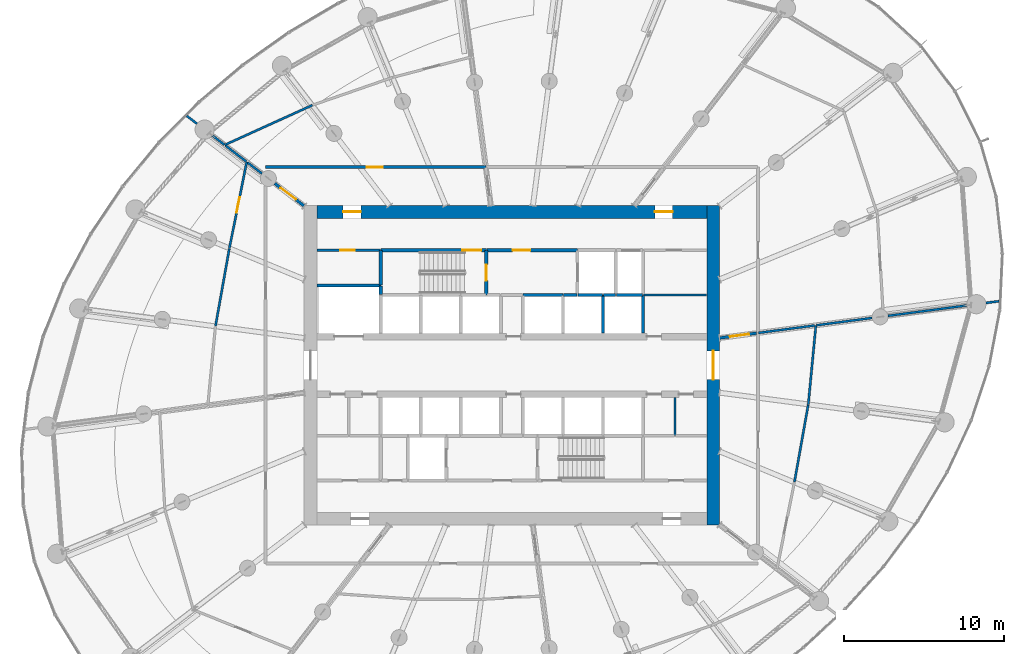
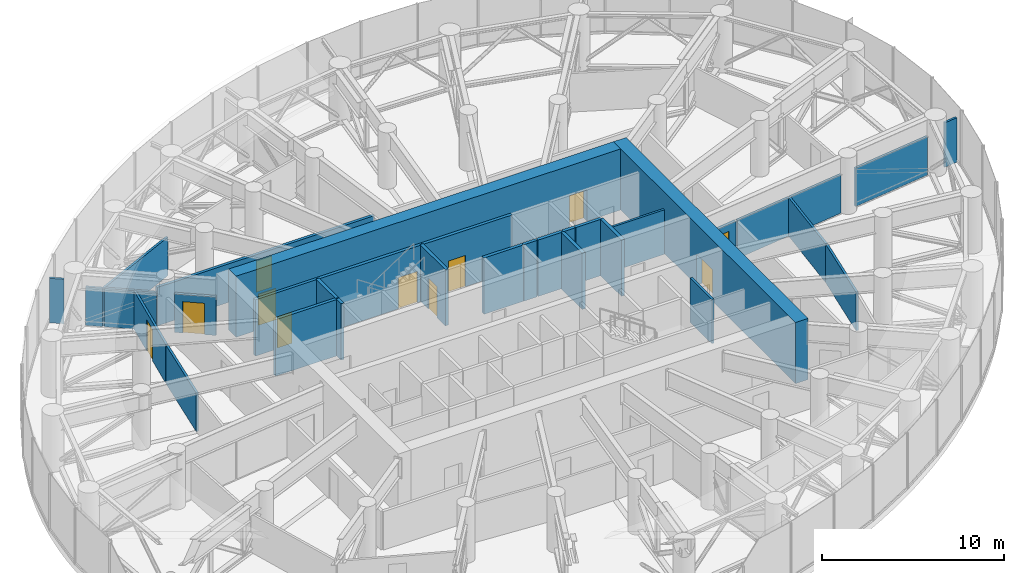
# One storey, part 18 of 33: 34 walls, 11 doors, 11 openings.
"""IFC4 building model written with IfcOpenShell, lengths in metres."""

from ifc_helpers import new_model, si_unit, direction, frame, frame_2d, origin, place, context, subcontext, project, spatial, rectangle, extrude, source, transform, mapped, material, layer, layer_set, type_object, element, fill, save


model = new_model("IFC4")

# Units and contexts
model_context = context("Model", 3, precision=1e-05, world=origin(), true_north=direction((0.0, 1.0)))
body_context = subcontext(model_context, "Body", "Model", "MODEL_VIEW")
ifc_project = project(units=[si_unit("LENGTHUNIT", "METRE"), si_unit("AREAUNIT", "SQUARE_METRE"), si_unit("VOLUMEUNIT", "CUBIC_METRE"), si_unit("PLANEANGLEUNIT", "RADIAN"), si_unit("MASSUNIT", "GRAM", prefix="KILO")], contexts=[model_context])

# Site, building, storey
site_placement = place(None, origin())
site = spatial("IfcSite", under=ifc_project, at=site_placement, CompositionType="ELEMENT")
building_placement = place(site_placement, origin())
building = spatial("IfcBuilding", under=site, at=building_placement, Name="Spindrift Exchange Tower", CompositionType="ELEMENT")
storey_placement = place(building_placement, frame((0.0, 0.0, 129.0)))
storey = spatial("IfcBuildingStorey", under=building, at=storey_placement, Name="L30", CompositionType="ELEMENT", Elevation=129.0)

# Wall, opening, door
ifc_material_1 = material(Name="Concrete 65 MPa", Category="concrete")
ifc_layer_1 = layer(ifc_material_1, 0.800048828125)
ifc_layer_set_1 = layer_set([ifc_layer_1], Name="RC Core Wall 800 Concrete 65 MPa")
wall_type_1 = type_object("IfcWallType", Name="RC Core Wall 800 Concrete 65 MPa", PredefinedType="SHEAR", material=ifc_layer_set_1)
wall_1_placement = place(storey_placement, frame((64.60009765625, 38.0, 0.0), z_axis=(0.0, 0.0, 1.0), x_axis=(0.0, 1.0, 0.0)))
wall_1 = element("IfcWall", 1, at=wall_1_placement, inside=storey, type_object=wall_type_1, Name="Core wall E L30", PredefinedType="SHEAR", context=body_context, shape_type="SweptSolid", body=[
    extrude(rectangle(XDim=20.0, YDim=0.800048828125, at=frame_2d((10.0, 0.0))), origin(), (0.0, 0.0, 1.0), 4.10009765625),
])
opening_1_placement = place(wall_1_placement, frame((9.10009765625, 0.0, 0.0)))
opening_1 = element("IfcOpeningElement", 2, at=opening_1_placement, cuts=wall_1, Name="Opening L30-D2", PredefinedType="OPENING", context=body_context, shape_type="SweptSolid", body=[
    extrude(rectangle(XDim=1.800048828125, YDim=2.10009765625, at=frame_2d((0.89990234375, 1.050048828125))), frame((0.0, 0.409912109375, 0.0), z_axis=(0.0, -1.0, 0.0), x_axis=(1.0, 0.0, 0.0)), (0.0, 0.0, 1.0), 0.820068359375),
])
ifc_material_2 = material(Name="Timber-core fire door", Category="wood")
door_type_1 = type_object("IfcDoorType", Name="DR-LOBBY-1800", OperationType="NOTDEFINED", PredefinedType="DOOR", material=ifc_material_2)
shared_shape_1 = source(origin(), body_context, "Body", "SweptSolid", [
    extrude(rectangle(XDim=1.800048828125, YDim=2.10009765625, at=frame_2d((0.89990234375, 1.050048828125))), frame((0.0, 0.02490234375, 0.0), z_axis=(0.0, -1.0, 0.0), x_axis=(1.0, 0.0, 0.0)), (0.0, 0.0, 1.0), 0.050048828125),
])
door_1_placement = place(opening_1_placement, origin())
door_1 = element("IfcDoor", 3, at=door_1_placement, inside=storey, type_object=door_type_1, Name="L30 Lobby door 2", OperationType="SINGLE_SWING_LEFT", OverallHeight=2.10009765625, OverallWidth=1.800048828125, PredefinedType="DOOR", context=body_context, shape_type="MappedRepresentation", body=[
    mapped(shared_shape_1, transform((0.0, 0.0, 0.0), scale=1.0)),
])
fill(opening_1, door_1)

# Wall, openings, doors
wall_2_placement = place(storey_placement, frame((64.199951171875, 57.60009765625, 0.0), z_axis=(0.0, 0.0, 1.0), x_axis=(-1.0, 0.0, 0.0)))
wall_2 = element("IfcWall", 4, at=wall_2_placement, inside=storey, type_object=wall_type_1, Name="Core wall N L30", PredefinedType="SHEAR", context=body_context, shape_type="SweptSolid", body=[
    extrude(rectangle(XDim=24.39990234375, YDim=0.800048828125, at=frame_2d((12.199951171875, 0.0))), origin(), (0.0, 0.0, 1.0), 4.10009765625),
])
opening_2_placement = place(wall_2_placement, frame((21.64990234375, 0.0, 0.0)))
opening_2 = element("IfcOpeningElement", 5, at=opening_2_placement, cuts=wall_2, Name="Opening L30-D14", PredefinedType="OPENING", context=body_context, shape_type="SweptSolid", body=[
    extrude(rectangle(XDim=1.10009765625, YDim=2.10009765625, at=frame_2d((0.550048828125, 1.050048828125))), frame((0.0, 0.409912109375, 0.0), z_axis=(0.0, -1.0, 0.0), x_axis=(1.0, 0.0, 0.0)), (0.0, 0.0, 1.0), 0.820068359375),
])
opening_3_placement = place(wall_2_placement, frame((2.14990234375, 0.0, 0.0)))
opening_3 = element("IfcOpeningElement", 6, at=opening_3_placement, cuts=wall_2, Name="Opening L30-D15", PredefinedType="OPENING", context=body_context, shape_type="SweptSolid", body=[
    extrude(rectangle(XDim=1.10009765625, YDim=2.10009765625, at=frame_2d((0.550048828125, 1.050048828125))), frame((0.0, 0.409912109375, 0.0), z_axis=(0.0, -1.0, 0.0), x_axis=(1.0, 0.0, 0.0)), (0.0, 0.0, 1.0), 0.820068359375),
])
ifc_material_3 = material(Name="Steel fire door", Category="steel")
door_type_2 = type_object("IfcDoorType", Name="DR-STAIR-1100", OperationType="NOTDEFINED", PredefinedType="DOOR", material=ifc_material_3)
shared_shape_2 = source(origin(), body_context, "Body", "SweptSolid", [
    extrude(rectangle(XDim=1.10009765625, YDim=2.10009765625, at=frame_2d((0.550048828125, 1.050048828125))), frame((0.0, 0.02490234375, 0.0), z_axis=(0.0, -1.0, 0.0), x_axis=(1.0, 0.0, 0.0)), (0.0, 0.0, 1.0), 0.050048828125),
])
door_2_placement = place(opening_2_placement, origin())
door_2 = element("IfcDoor", 7, at=door_2_placement, inside=storey, type_object=door_type_2, Name="L30 Stair door 14", OperationType="SINGLE_SWING_LEFT", OverallHeight=2.10009765625, OverallWidth=1.10009765625, PredefinedType="DOOR", context=body_context, shape_type="MappedRepresentation", body=[
    mapped(shared_shape_2, transform((0.0, 0.0, 0.0), scale=1.0)),
])
fill(opening_2, door_2)
door_3_placement = place(opening_3_placement, origin())
door_3 = element("IfcDoor", 8, at=door_3_placement, inside=storey, type_object=door_type_2, Name="L30 Stair door 15", OperationType="SINGLE_SWING_RIGHT", OverallHeight=2.10009765625, OverallWidth=1.10009765625, PredefinedType="DOOR", context=body_context, shape_type="MappedRepresentation", body=[
    mapped(shared_shape_2, transform((0.0, 0.0, 0.0), scale=1.0)),
])
fill(opening_3, door_3)

# Wall, opening, door
ifc_material_4 = material(Name="Fire-rated plasterboard partition", Category="gypsum")
ifc_layer_2 = layer(ifc_material_4, 0.179931640625)
ifc_layer_set_2 = layer_set([ifc_layer_2], Name="W-CORR-180")
wall_type_2 = type_object("IfcWallType", Name="W-CORR-180", PredefinedType="PARTITIONING", material=ifc_layer_set_2)
wall_3_placement = place(storey_placement, frame((43.77001953125, 55.199951171875, 0.0), z_axis=(0.0, 0.0, 1.0), x_axis=(-1.0, 0.0, 0.0)))
wall_3 = element("IfcWall", 9, at=wall_3_placement, inside=storey, type_object=wall_type_2, Name="L30 Partition wall 70", PredefinedType="PARTITIONING", context=body_context, shape_type="SweptSolid", body=[
    extrude(rectangle(XDim=3.949951171875, YDim=0.179931640625, at=frame_2d((1.97509765625, 0.0))), origin(), (0.0, 0.0, 1.0), 3.780029296875),
])
opening_4_placement = place(wall_3_placement, frame((1.60009765625, 0.0, 0.0)))
opening_4 = element("IfcOpeningElement", 10, at=opening_4_placement, cuts=wall_3, Name="Opening L30-D41", PredefinedType="OPENING", context=body_context, shape_type="SweptSolid", body=[
    extrude(rectangle(XDim=0.89990234375, YDim=2.10009765625, at=frame_2d((0.449951171875, 1.050048828125))), frame((0.0, 0.099853515625, 0.0), z_axis=(0.0, -1.0, 0.0), x_axis=(1.0, 0.0, 0.0)), (0.0, 0.0, 1.0), 0.199951171875),
])
ifc_material_5 = material(Name="Steel access door", Category="steel")
door_type_3 = type_object("IfcDoorType", Name="DR-RISER-900", OperationType="NOTDEFINED", PredefinedType="DOOR", material=ifc_material_5)
shared_shape_3 = source(origin(), body_context, "Body", "SweptSolid", [
    extrude(rectangle(XDim=0.89990234375, YDim=2.10009765625, at=frame_2d((0.449951171875, 1.050048828125))), frame((0.0, 0.02490234375, 0.0), z_axis=(0.0, -1.0, 0.0), x_axis=(1.0, 0.0, 0.0)), (0.0, 0.0, 1.0), 0.050048828125),
])
door_4_placement = place(opening_4_placement, origin())
door_4 = element("IfcDoor", 11, at=door_4_placement, inside=storey, type_object=door_type_3, Name="L30 Riser door 41", OperationType="SINGLE_SWING_RIGHT", OverallHeight=2.10009765625, OverallWidth=0.89990234375, PredefinedType="DOOR", context=body_context, shape_type="MappedRepresentation", body=[
    mapped(shared_shape_3, transform((0.0, 0.0, 0.0), scale=1.0)),
])
fill(opening_4, door_4)

ifc_layer_3 = layer(ifc_material_4, 0.179931640625)
ifc_layer_set_3 = layer_set([ifc_layer_3], Name="W-CORR-180-SOFFIT")
wall_type_3 = type_object("IfcWallType", Name="W-CORR-180-SOFFIT", PredefinedType="PARTITIONING", material=ifc_layer_set_3)
wall_4_placement = place(storey_placement, frame((67.31005859375, 50.015625, 0.0), z_axis=(0.0, 0.0, 1.0), x_axis=(-0.991440737811, -0.130557509967, 0.0)))
wall_4 = element("IfcWall", 12, at=wall_4_placement, inside=storey, type_object=wall_type_3, Name="L30 Partition wall 73", PredefinedType="PARTITIONING", context=body_context, shape_type="SweptSolid", body=[
    extrude(rectangle(XDim=2.330078125, YDim=0.179931640625, at=frame_2d((1.1650390625, 0.0))), origin(), (0.0, 0.0, 1.0), 2.580078125),
])
opening_5_placement = place(wall_4_placement, frame((0.47998046875, 0.0, 0.0)))
opening_5 = element("IfcOpeningElement", 13, at=opening_5_placement, cuts=wall_4, Name="Opening L30-D40", PredefinedType="OPENING", context=body_context, shape_type="SweptSolid", body=[
    extrude(rectangle(XDim=1.199951171875, YDim=2.10009765625, at=frame_2d((0.60009765625, 1.050048828125))), frame((0.0, 0.099853515625, 0.0), z_axis=(0.0, -1.0, 0.0), x_axis=(1.0, 0.0, 0.0)), (0.0, 0.0, 1.0), 0.199951171875),
])
door_type_4 = type_object("IfcDoorType", Name="DR-PLANT-1200", OperationType="NOTDEFINED", PredefinedType="DOOR", material=ifc_material_3)
shared_shape_4 = source(origin(), body_context, "Body", "SweptSolid", [
    extrude(rectangle(XDim=1.199951171875, YDim=2.10009765625, at=frame_2d((0.60009765625, 1.050048828125))), frame((0.0, 0.02490234375, 0.0), z_axis=(0.0, -1.0, 0.0), x_axis=(1.0, 0.0, 0.0)), (0.0, 0.0, 1.0), 0.050048828125),
])
door_5_placement = place(opening_5_placement, origin())
door_5 = element("IfcDoor", 14, at=door_5_placement, inside=storey, type_object=door_type_4, Name="L30 Plant room door 40", OperationType="SINGLE_SWING_LEFT", OverallHeight=2.10009765625, OverallWidth=1.199951171875, PredefinedType="DOOR", context=body_context, shape_type="MappedRepresentation", body=[
    mapped(shared_shape_4, transform((0.0, 0.0, 0.0), scale=1.0)),
])
fill(opening_5, door_5)

wall_5_placement = place(storey_placement, frame((37.167724609375, 59.381103515625, 0.0), z_axis=(0.0, 0.0, 1.0), x_axis=(0.793393624489, -0.608708926023, 0.0)))
wall_5 = element("IfcWall", 15, at=wall_5_placement, inside=storey, type_object=wall_type_3, Name="L30 Partition wall 77", PredefinedType="PARTITIONING", context=body_context, shape_type="SweptSolid", body=[
    extrude(rectangle(XDim=2.309326171875, YDim=0.179931640625, at=frame_2d((1.15478515625, 0.0))), origin(), (0.0, 0.0, 1.0), 2.580078125),
])
opening_6_placement = place(wall_5_placement, frame((0.45947265625, 0.0, 0.0)))
opening_6 = element("IfcOpeningElement", 16, at=opening_6_placement, cuts=wall_5, Name="Opening L30-D35", PredefinedType="OPENING", context=body_context, shape_type="SweptSolid", body=[
    extrude(rectangle(XDim=1.199951171875, YDim=2.10009765625, at=frame_2d((0.60009765625, 1.050048828125))), frame((0.0, 0.099853515625, 0.0), z_axis=(0.0, -1.0, 0.0), x_axis=(1.0, 0.0, 0.0)), (0.0, 0.0, 1.0), 0.199951171875),
])
door_6_placement = place(opening_6_placement, origin())
door_6 = element("IfcDoor", 17, at=door_6_placement, inside=storey, type_object=door_type_4, Name="L30 Plant room door 35", OperationType="SINGLE_SWING_RIGHT", OverallHeight=2.10009765625, OverallWidth=1.199951171875, PredefinedType="DOOR", context=body_context, shape_type="MappedRepresentation", body=[
    mapped(shared_shape_4, transform((0.0, 0.0, 0.0), scale=1.0)),
])
fill(opening_6, door_6)

# Walls
ifc_layer_4 = layer(ifc_material_4, 0.139892578125)
ifc_layer_set_4 = layer_set([ifc_layer_4], Name="W-PART-140")
wall_type_4 = type_object("IfcWallType", Name="W-PART-140", PredefinedType="PARTITIONING", material=ifc_layer_set_4)
wall_6_placement = place(storey_placement, frame((64.179931640625, 52.39990234375, 0.0), z_axis=(0.0, 0.0, 1.0), x_axis=(-1.0, 0.0, 0.0)))
element("IfcWall", 18, at=wall_6_placement, inside=storey, type_object=wall_type_4, Name="L30 Partition wall 103", PredefinedType="PARTITIONING", context=body_context, shape_type="SweptSolid", body=[
    extrude(rectangle(XDim=3.949951171875, YDim=0.139892578125, at=frame_2d((1.97509765625, 0.0))), origin(), (0.0, 0.0, 1.0), 2.97998046875),
])
wall_7_placement = place(storey_placement, frame((62.199951171875, 43.60009765625, 0.0), z_axis=(0.0, 0.0, 1.0), x_axis=(0.0, 1.0, 0.0)))
element("IfcWall", 19, at=wall_7_placement, inside=storey, type_object=wall_type_4, Name="L30 Partition wall 119", PredefinedType="PARTITIONING", context=body_context, shape_type="SweptSolid", body=[
    extrude(rectangle(XDim=2.389892578125, YDim=0.139892578125, at=frame_2d((1.19482421875, 0.0))), origin(), (0.0, 0.0, 1.0), 2.97998046875),
])
ifc_layer_5 = layer(ifc_material_4, 0.139892578125)
ifc_layer_set_5 = layer_set([ifc_layer_5], Name="W-PLANT-140")
wall_type_5 = type_object("IfcWallType", Name="W-PLANT-140", PredefinedType="PARTITIONING", material=ifc_layer_set_5)
wall_8_placement = place(storey_placement, frame((81.655517578125, 51.904296875, 0.0), z_axis=(0.0, 0.0, 1.0), x_axis=(0.991436143334, 0.130592395224, 0.0)))
element("IfcWall", 20, at=wall_8_placement, inside=storey, type_object=wall_type_5, Name="L30 Partition wall 137", PredefinedType="PARTITIONING", context=body_context, shape_type="SweptSolid", body=[
    extrude(rectangle(XDim=0.824462890625, YDim=0.139892578125, at=frame_2d((0.412109375, 0.0))), origin(), (0.0, 0.0, 1.0), 2.97998046875),
])
wall_9_placement = place(storey_placement, frame((32.30078125, 63.11572265625, 0.0), z_axis=(0.0, 0.0, 1.0), x_axis=(-0.793326455239, 0.608796464689, 0.0)))
element("IfcWall", 21, at=wall_9_placement, inside=storey, type_object=wall_type_5, Name="L30 Partition wall 139", PredefinedType="PARTITIONING", context=body_context, shape_type="SweptSolid", body=[
    extrude(rectangle(XDim=0.800537109375, YDim=0.139892578125, at=frame_2d((0.400390625, 0.0))), origin(), (0.0, 0.0, 1.0), 2.97998046875),
])
ifc_layer_6 = layer(ifc_material_4, 0.139892578125)
ifc_layer_set_6 = layer_set([ifc_layer_6], Name="W-PLANT-140-SOFFIT")
wall_type_6 = type_object("IfcWallType", Name="W-PLANT-140-SOFFIT", PredefinedType="PARTITIONING", material=ifc_layer_set_6)
wall_10_placement = place(storey_placement, frame((39.513916015625, 64.272216796875, 0.0), z_axis=(0.0, 0.0, 1.0), x_axis=(-0.910630285698, -0.413222074397, 0.0)))
element("IfcWall", 22, at=wall_10_placement, inside=storey, type_object=wall_type_6, Name="L30 Partition wall 85", PredefinedType="PARTITIONING", context=body_context, shape_type="SweptSolid", body=[
    extrude(rectangle(XDim=6.017578125, YDim=0.139892578125, at=frame_2d((3.0087890625, 0.0))), origin(), (0.0, 0.0, 1.0), 2.580078125),
])

# Wall, opening, door
wall_11_placement = place(storey_placement, frame((34.328125, 55.31982421875, 0.0), z_axis=(0.0, 0.0, 1.0), x_axis=(0.197248441668, 0.980353534323, 0.0)))
wall_11 = element("IfcWall", 23, at=wall_11_placement, inside=storey, type_object=wall_type_6, Name="L30 Partition wall 88", PredefinedType="PARTITIONING", context=body_context, shape_type="SweptSolid", body=[
    extrude(rectangle(XDim=5.51416015625, YDim=0.139892578125, at=frame_2d((2.757080078125, 0.0))), origin(), (0.0, 0.0, 1.0), 2.580078125),
])
opening_7_placement = place(wall_11_placement, frame((2.263916015625, 0.0, 0.0)))
opening_7 = element("IfcOpeningElement", 24, at=opening_7_placement, cuts=wall_11, Name="Opening L30-D24", PredefinedType="OPENING", context=body_context, shape_type="SweptSolid", body=[
    extrude(rectangle(XDim=1.0, YDim=2.10009765625, at=frame_2d((0.5, 1.050048828125))), frame((0.0, 0.079833984375, 0.0), z_axis=(0.0, -1.0, 0.0), x_axis=(1.0, 0.0, 0.0)), (0.0, 0.0, 1.0), 0.159912109375),
])
door_type_5 = type_object("IfcDoorType", Name="DR-ROOM-1000", OperationType="NOTDEFINED", PredefinedType="DOOR", material=ifc_material_2)
shared_shape_5 = source(origin(), body_context, "Body", "SweptSolid", [
    extrude(rectangle(XDim=1.0, YDim=2.10009765625, at=frame_2d((0.5, 1.050048828125))), frame((0.0, 0.02490234375, 0.0), z_axis=(0.0, -1.0, 0.0), x_axis=(1.0, 0.0, 0.0)), (0.0, 0.0, 1.0), 0.050048828125),
])
door_7_placement = place(opening_7_placement, origin())
door_7 = element("IfcDoor", 25, at=door_7_placement, inside=storey, type_object=door_type_5, Name="L30 Door 24", OperationType="SINGLE_SWING_LEFT", OverallHeight=2.10009765625, OverallWidth=1.0, PredefinedType="DOOR", context=body_context, shape_type="MappedRepresentation", body=[
    mapped(shared_shape_5, transform((0.0, 0.0, 0.0), scale=1.0)),
])
fill(opening_7, door_7)

# Walls
wall_12_placement = place(storey_placement, frame((70.542236328125, 45.558837890625, 0.0), z_axis=(0.0, 0.0, 1.0), x_axis=(0.095688058523, 0.995411369965, 0.0)))
element("IfcWall", 26, at=wall_12_placement, inside=storey, type_object=wall_type_6, Name="L30 Partition wall 94", PredefinedType="PARTITIONING", context=body_context, shape_type="SweptSolid", body=[
    extrude(rectangle(XDim=4.967529296875, YDim=0.139892578125, at=frame_2d((2.48388671875, 0.0))), origin(), (0.0, 0.0, 1.0), 2.580078125),
])
wall_13_placement = place(storey_placement, frame((75.533935546875, 51.098388671875, 0.0), z_axis=(0.0, 0.0, 1.0), x_axis=(0.991443414541, 0.130537181533, 0.0)))
element("IfcWall", 27, at=wall_13_placement, inside=storey, type_object=wall_type_6, Name="L30 Partition wall 97", PredefinedType="PARTITIONING", context=body_context, shape_type="SweptSolid", body=[
    extrude(rectangle(XDim=4.965576171875, YDim=0.139892578125, at=frame_2d((2.48291015625, 0.0))), origin(), (0.0, 0.0, 1.0), 2.580078125),
])
for number, where, z_axis, x_axis, name in (
    (28, (34.322998046875, 55.290283203125, 0.0), (0.0, 0.0, 1.0), (-0.175685353507, -0.984446370588, 0.0), "L30 Partition wall 98"),
    (29, (69.677001953125, 40.709716796875, 0.0), (0.0, 0.0, 1.0), (0.175685353507, 0.984446370588, 0.0), "L30 Partition wall 99"),
):
    element("IfcWall", number, at=place(storey_placement, frame(where, z_axis=z_axis, x_axis=x_axis)), inside=storey, type_object=wall_type_6, Name=name, PredefinedType="PARTITIONING", context=body_context, shape_type="SweptSolid", body=[
        extrude(rectangle(XDim=4.895751953125, YDim=0.139892578125, at=frame_2d((2.44775390625, 0.0))), origin(), (0.0, 0.0, 1.0), 2.580078125),
    ])
wall_14_placement = place(storey_placement, frame((67.4296875, 50.031494140625, 0.0), z_axis=(0.0, 0.0, 1.0), x_axis=(0.991447734454, 0.130504367157, 0.0)))
element("IfcWall", 30, at=wall_14_placement, inside=storey, type_object=wall_type_6, Name="L30 Partition wall 110", PredefinedType="PARTITIONING", context=body_context, shape_type="SweptSolid", body=[
    extrude(rectangle(XDim=3.546875, YDim=0.139892578125, at=frame_2d((1.7734375, 0.0))), origin(), (0.0, 0.0, 1.0), 2.580078125),
])
wall_15_placement = place(storey_placement, frame((71.047119140625, 50.507568359375, 0.0), z_axis=(0.0, 0.0, 1.0), x_axis=(0.991446023146, 0.130517367377, 0.0)))
element("IfcWall", 31, at=wall_15_placement, inside=storey, type_object=wall_type_6, Name="L30 Partition wall 111", PredefinedType="PARTITIONING", context=body_context, shape_type="SweptSolid", body=[
    extrude(rectangle(XDim=3.5166015625, YDim=0.139892578125, at=frame_2d((1.75830078125, 0.0))), origin(), (0.0, 0.0, 1.0), 2.580078125),
])
wall_16_placement = place(storey_placement, frame((35.39208984375, 60.743896484375, 0.0), z_axis=(0.0, 0.0, 1.0), x_axis=(-0.793418526324, 0.608676467498, 0.0)))
element("IfcWall", 32, at=wall_16_placement, inside=storey, type_object=wall_type_6, Name="L30 Partition wall 126", PredefinedType="PARTITIONING", context=body_context, shape_type="SweptSolid", body=[
    extrude(rectangle(XDim=1.632080078125, YDim=0.139892578125, at=frame_2d((0.81591796875, 0.0))), origin(), (0.0, 0.0, 1.0), 2.580078125),
])
wall_17_placement = place(storey_placement, frame((36.367431640625, 59.995361328125, 0.0), z_axis=(0.0, 0.0, 1.0), x_axis=(-0.793448671778, 0.60863717045, 0.0)))
element("IfcWall", 33, at=wall_17_placement, inside=storey, type_object=wall_type_6, Name="L30 Partition wall 130", PredefinedType="PARTITIONING", context=body_context, shape_type="SweptSolid", body=[
    extrude(rectangle(XDim=1.12158203125, YDim=0.139892578125, at=frame_2d((0.560791015625, 0.0))), origin(), (0.0, 0.0, 1.0), 2.580078125),
])
wall_18_placement = place(storey_placement, frame((34.010498046875, 61.803955078125, 0.0), z_axis=(0.0, 0.0, 1.0), x_axis=(-0.793419442559, 0.60867527317, 0.0)))
element("IfcWall", 34, at=wall_18_placement, inside=storey, type_object=wall_type_6, Name="L30 Partition wall 135", PredefinedType="PARTITIONING", context=body_context, shape_type="SweptSolid", body=[
    extrude(rectangle(XDim=0.9462890625, YDim=0.139892578125, at=frame_2d((0.47314453125, 0.0))), origin(), (0.0, 0.0, 1.0), 2.580078125),
])

# Wall, opening, door
ifc_layer_7 = layer(ifc_material_4, 0.179931640625)
ifc_layer_set_7 = layer_set([ifc_layer_7], Name="W-PLANT-180-SOFFIT")
wall_type_7 = type_object("IfcWallType", Name="W-PLANT-180-SOFFIT", PredefinedType="PARTITIONING", material=ifc_layer_set_7)
wall_19_placement = place(storey_placement, frame((36.60009765625, 60.39990234375, 0.0), z_axis=(0.0, 0.0, 1.0), x_axis=(1.0, 0.0, 0.0)))
wall_19 = element("IfcWall", 35, at=wall_19_placement, inside=storey, type_object=wall_type_7, Name="L30 Partition wall 58", PredefinedType="PARTITIONING", context=body_context, shape_type="SweptSolid", body=[
    extrude(rectangle(XDim=13.767333984375, YDim=0.179931640625, at=frame_2d((6.8837890625, 0.0))), origin(), (0.0, 0.0, 1.0), 2.580078125),
])
opening_8_placement = place(wall_19_placement, frame((6.3173828125, 0.0, 0.0)))
opening_8 = element("IfcOpeningElement", 36, at=opening_8_placement, cuts=wall_19, Name="Opening L30-D21", PredefinedType="OPENING", context=body_context, shape_type="SweptSolid", body=[
    extrude(rectangle(XDim=1.0, YDim=2.10009765625, at=frame_2d((0.5, 1.050048828125))), frame((0.0, 0.099853515625, 0.0), z_axis=(0.0, -1.0, 0.0), x_axis=(1.0, 0.0, 0.0)), (0.0, 0.0, 1.0), 0.199951171875),
])
door_8_placement = place(opening_8_placement, origin())
door_8 = element("IfcDoor", 37, at=door_8_placement, inside=storey, type_object=door_type_5, Name="L30 Door 21", OperationType="SINGLE_SWING_RIGHT", OverallHeight=2.10009765625, OverallWidth=1.0, PredefinedType="DOOR", context=body_context, shape_type="MappedRepresentation", body=[
    mapped(shared_shape_5, transform((0.0, 0.0, 0.0), scale=1.0)),
])
fill(opening_8, door_8)

# Walls
ifc_material_6 = material(Name="Concrete 40 MPa", Category="concrete")
ifc_layer_8 = layer(ifc_material_6, 0.199951171875)
ifc_layer_set_8 = layer_set([ifc_layer_8], Name="W-SHAFT-200")
wall_type_8 = type_object("IfcWallType", Name="W-SHAFT-200", PredefinedType="SOLIDWALL", material=ifc_layer_set_8)
wall_20_placement = place(storey_placement, frame((55.199951171875, 52.39990234375, 0.0), z_axis=(0.0, 0.0, 1.0), x_axis=(-1.0, 0.0, 0.0)))
element("IfcWall", 38, at=wall_20_placement, inside=storey, type_object=wall_type_8, Name="L30 Shaft wall 18", PredefinedType="SOLIDWALL", context=body_context, shape_type="SweptSolid", body=[
    extrude(rectangle(XDim=2.5, YDim=0.199951171875, at=frame_2d((1.25, 0.0))), origin(), (0.0, 0.0, 1.0), 3.780029296875),
])
wall_21_placement = place(storey_placement, frame((57.699951171875, 50.010009765625, 0.0), z_axis=(0.0, 0.0, 1.0), x_axis=(0.0, 1.0, 0.0)))
element("IfcWall", 39, at=wall_21_placement, inside=storey, type_object=wall_type_8, Name="L30 Shaft wall 36", PredefinedType="SOLIDWALL", context=body_context, shape_type="SweptSolid", body=[
    extrude(rectangle(XDim=2.389892578125, YDim=0.199951171875, at=frame_2d((1.19482421875, 0.0))), origin(), (0.0, 0.0, 1.0), 3.780029296875),
])
wall_22_placement = place(storey_placement, frame((60.199951171875, 50.010009765625, 0.0), z_axis=(0.0, 0.0, 1.0), x_axis=(0.0, 1.0, 0.0)))
element("IfcWall", 40, at=wall_22_placement, inside=storey, type_object=wall_type_8, Name="L30 Shaft wall 38", PredefinedType="SOLIDWALL", context=body_context, shape_type="SweptSolid", body=[
    extrude(rectangle(XDim=2.360107421875, YDim=0.199951171875, at=frame_2d((1.18017578125, 0.0))), origin(), (0.0, 0.0, 1.0), 3.780029296875),
])
wall_23_placement = place(storey_placement, frame((60.169921875, 52.39990234375, 0.0), z_axis=(0.0, 0.0, 1.0), x_axis=(-1.0, 0.0, 0.0)))
element("IfcWall", 41, at=wall_23_placement, inside=storey, type_object=wall_type_8, Name="L30 Shaft wall 42", PredefinedType="SOLIDWALL", context=body_context, shape_type="SweptSolid", body=[
    extrude(rectangle(XDim=1.639892578125, YDim=0.199951171875, at=frame_2d((0.81982421875, 0.0))), origin(), (0.0, 0.0, 1.0), 3.780029296875),
])
wall_24_placement = place(storey_placement, frame((57.669921875, 52.39990234375, 0.0), z_axis=(0.0, 0.0, 1.0), x_axis=(-1.0, 0.0, 0.0)))
element("IfcWall", 42, at=wall_24_placement, inside=storey, type_object=wall_type_8, Name="L30 Shaft wall 47", PredefinedType="SOLIDWALL", context=body_context, shape_type="SweptSolid", body=[
    extrude(rectangle(XDim=1.5400390625, YDim=0.199951171875, at=frame_2d((0.77001953125, 0.0))), origin(), (0.0, 0.0, 1.0), 3.780029296875),
])
wall_25_placement = place(storey_placement, frame((56.070068359375, 52.39990234375, 0.0), z_axis=(0.0, 0.0, 1.0), x_axis=(-1.0, 0.0, 0.0)))
element("IfcWall", 43, at=wall_25_placement, inside=storey, type_object=wall_type_8, Name="L30 Shaft wall 53", PredefinedType="SOLIDWALL", context=body_context, shape_type="SweptSolid", body=[
    extrude(rectangle(XDim=0.840087890625, YDim=0.199951171875, at=frame_2d((0.419921875, 0.0))), origin(), (0.0, 0.0, 1.0), 3.780029296875),
])
wall_26_placement = place(storey_placement, frame((58.469970703125, 52.39990234375, 0.0), z_axis=(0.0, 0.0, 1.0), x_axis=(-1.0, 0.0, 0.0)))
element("IfcWall", 44, at=wall_26_placement, inside=storey, type_object=wall_type_8, Name="L30 Shaft wall 55", PredefinedType="SOLIDWALL", context=body_context, shape_type="SweptSolid", body=[
    extrude(rectangle(XDim=0.739990234375, YDim=0.199951171875, at=frame_2d((0.3701171875, 0.0))), origin(), (0.0, 0.0, 1.0), 3.780029296875),
])

# Wall, opening, door
ifc_layer_9 = layer(ifc_material_6, 0.199951171875)
ifc_layer_set_9 = layer_set([ifc_layer_9], Name="W-SHAFT-200-LB")
wall_type_9 = type_object("IfcWallType", Name="W-SHAFT-200-LB", PredefinedType="SOLIDWALL", material=ifc_layer_set_9)
wall_27_placement = place(storey_placement, frame((50.39990234375, 55.199951171875, 0.0), z_axis=(0.0, 0.0, 1.0), x_axis=(-1.0, 0.0, 0.0)))
wall_27 = element("IfcWall", 45, at=wall_27_placement, inside=storey, type_object=wall_type_9, Name="L30 Shaft wall 1", PredefinedType="SOLIDWALL", context=body_context, shape_type="SweptSolid", body=[
    extrude(rectangle(XDim=6.599853515625, YDim=0.199951171875, at=frame_2d((3.2998046875, 0.0))), origin(), (0.0, 0.0, 1.0), 3.780029296875),
])
opening_9_placement = place(wall_27_placement, frame((0.300048828125, 0.0, 0.0)))
opening_9 = element("IfcOpeningElement", 46, at=opening_9_placement, cuts=wall_27, Name="Opening L30-D7", PredefinedType="OPENING", context=body_context, shape_type="SweptSolid", body=[
    extrude(rectangle(XDim=1.199951171875, YDim=2.10009765625, at=frame_2d((0.60009765625, 1.050048828125))), frame((0.0, 0.10986328125, 0.0), z_axis=(0.0, -1.0, 0.0), x_axis=(1.0, 0.0, 0.0)), (0.0, 0.0, 1.0), 0.219970703125),
])
door_type_6 = type_object("IfcDoorType", Name="DR-STAIR-1200", OperationType="NOTDEFINED", PredefinedType="DOOR", material=ifc_material_3)
shared_shape_6 = source(origin(), body_context, "Body", "SweptSolid", [
    extrude(rectangle(XDim=1.199951171875, YDim=2.10009765625, at=frame_2d((0.60009765625, 1.050048828125))), frame((0.0, 0.02490234375, 0.0), z_axis=(0.0, -1.0, 0.0), x_axis=(1.0, 0.0, 0.0)), (0.0, 0.0, 1.0), 0.050048828125),
])
door_9_placement = place(opening_9_placement, origin())
door_9 = element("IfcDoor", 47, at=door_9_placement, inside=storey, type_object=door_type_6, Name="L30 Stair door 7", OperationType="SINGLE_SWING_RIGHT", OverallHeight=2.10009765625, OverallWidth=1.199951171875, PredefinedType="DOOR", context=body_context, shape_type="MappedRepresentation", body=[
    mapped(shared_shape_6, transform((0.0, 0.0, 0.0), scale=1.0)),
])
fill(opening_9, door_9)

wall_28_placement = place(storey_placement, frame((56.10009765625, 55.199951171875, 0.0), z_axis=(0.0, 0.0, 1.0), x_axis=(-1.0, 0.0, 0.0)))
wall_28 = element("IfcWall", 48, at=wall_28_placement, inside=storey, type_object=wall_type_9, Name="L30 Shaft wall 4", PredefinedType="SOLIDWALL", context=body_context, shape_type="SweptSolid", body=[
    extrude(rectangle(XDim=5.670166015625, YDim=0.199951171875, at=frame_2d((2.8349609375, 0.0))), origin(), (0.0, 0.0, 1.0), 3.780029296875),
])
opening_10_placement = place(wall_28_placement, frame((2.949951171875, 0.0, 0.0)))
opening_10 = element("IfcOpeningElement", 49, at=opening_10_placement, cuts=wall_28, Name="Opening L30-D9", PredefinedType="OPENING", context=body_context, shape_type="SweptSolid", body=[
    extrude(rectangle(XDim=1.10009765625, YDim=2.10009765625, at=frame_2d((0.550048828125, 1.050048828125))), frame((0.0, 0.10986328125, 0.0), z_axis=(0.0, -1.0, 0.0), x_axis=(1.0, 0.0, 0.0)), (0.0, 0.0, 1.0), 0.219970703125),
])
door_type_7 = type_object("IfcDoorType", Name="DR-LOBBY-1100", OperationType="NOTDEFINED", PredefinedType="DOOR", material=ifc_material_2)
shared_shape_7 = source(origin(), body_context, "Body", "SweptSolid", [
    extrude(rectangle(XDim=1.10009765625, YDim=2.10009765625, at=frame_2d((0.550048828125, 1.050048828125))), frame((0.0, 0.02490234375, 0.0), z_axis=(0.0, -1.0, 0.0), x_axis=(1.0, 0.0, 0.0)), (0.0, 0.0, 1.0), 0.050048828125),
])
door_10_placement = place(opening_10_placement, origin())
door_10 = element("IfcDoor", 50, at=door_10_placement, inside=storey, type_object=door_type_7, Name="L30 Lobby door 9", OperationType="SINGLE_SWING_RIGHT", OverallHeight=2.10009765625, OverallWidth=1.10009765625, PredefinedType="DOOR", context=body_context, shape_type="MappedRepresentation", body=[
    mapped(shared_shape_7, transform((0.0, 0.0, 0.0), scale=1.0)),
])
fill(opening_10, door_10)

# Wall
wall_29_placement = place(storey_placement, frame((43.800048828125, 53.0, 0.0), z_axis=(0.0, 0.0, 1.0), x_axis=(-1.0, 0.0, 0.0)))
element("IfcWall", 51, at=wall_29_placement, inside=storey, type_object=wall_type_9, Name="L30 Shaft wall 5", PredefinedType="SOLIDWALL", context=body_context, shape_type="SweptSolid", body=[
    extrude(rectangle(XDim=3.97998046875, YDim=0.199951171875, at=frame_2d((1.989990234375, 0.0))), origin(), (0.0, 0.0, 1.0), 3.780029296875),
])

# Wall, opening, door
wall_30_placement = place(storey_placement, frame((50.39990234375, 52.39990234375, 0.0), z_axis=(0.0, 0.0, 1.0), x_axis=(0.0, 1.0, 0.0)))
wall_30 = element("IfcWall", 52, at=wall_30_placement, inside=storey, type_object=wall_type_9, Name="L30 Shaft wall 9", PredefinedType="SOLIDWALL", context=body_context, shape_type="SweptSolid", body=[
    extrude(rectangle(XDim=2.77001953125, YDim=0.199951171875, at=frame_2d((1.385009765625, 0.0))), origin(), (0.0, 0.0, 1.0), 3.780029296875),
])
opening_11_placement = place(wall_30_placement, frame((0.89990234375, 0.0, 0.0)))
opening_11 = element("IfcOpeningElement", 53, at=opening_11_placement, cuts=wall_30, Name="Opening L30-D8", PredefinedType="OPENING", context=body_context, shape_type="SweptSolid", body=[
    extrude(rectangle(XDim=1.0, YDim=2.10009765625, at=frame_2d((0.5, 1.050048828125))), frame((0.0, 0.10986328125, 0.0), z_axis=(0.0, -1.0, 0.0), x_axis=(1.0, 0.0, 0.0)), (0.0, 0.0, 1.0), 0.219970703125),
])
door_type_8 = type_object("IfcDoorType", Name="DR-STAIR-1000", OperationType="NOTDEFINED", PredefinedType="DOOR", material=ifc_material_3)
shared_shape_8 = source(origin(), body_context, "Body", "SweptSolid", [
    extrude(rectangle(XDim=1.0, YDim=2.10009765625, at=frame_2d((0.5, 1.050048828125))), frame((0.0, 0.02490234375, 0.0), z_axis=(0.0, -1.0, 0.0), x_axis=(1.0, 0.0, 0.0)), (0.0, 0.0, 1.0), 0.050048828125),
])
door_11_placement = place(opening_11_placement, origin())
door_11 = element("IfcDoor", 54, at=door_11_placement, inside=storey, type_object=door_type_8, Name="L30 Stair door 8", OperationType="SINGLE_SWING_LEFT", OverallHeight=2.10009765625, OverallWidth=1.0, PredefinedType="DOOR", context=body_context, shape_type="MappedRepresentation", body=[
    mapped(shared_shape_8, transform((0.0, 0.0, 0.0), scale=1.0)),
])
fill(opening_11, door_11)

# Walls
wall_31_placement = place(storey_placement, frame((43.800048828125, 55.169921875, 0.0), z_axis=(0.0, 0.0, 1.0), x_axis=(0.0, -1.0, 0.0)))
element("IfcWall", 55, at=wall_31_placement, inside=storey, type_object=wall_type_9, Name="L30 Shaft wall 39", PredefinedType="SOLIDWALL", context=body_context, shape_type="SweptSolid", body=[
    extrude(rectangle(XDim=2.139892578125, YDim=0.199951171875, at=frame_2d((1.06982421875, 0.0))), origin(), (0.0, 0.0, 1.0), 3.780029296875),
])
wall_32_placement = place(storey_placement, frame((43.800048828125, 52.429931640625, 0.0), z_axis=(0.0, 0.0, 1.0), x_axis=(0.0, 1.0, 0.0)))
element("IfcWall", 56, at=wall_32_placement, inside=storey, type_object=wall_type_9, Name="L30 Shaft wall 56", PredefinedType="SOLIDWALL", context=body_context, shape_type="SweptSolid", body=[
    extrude(rectangle(XDim=0.5400390625, YDim=0.199951171875, at=frame_2d((0.27001953125, 0.0))), origin(), (0.0, 0.0, 1.0), 3.780029296875),
])

save(model, "model.ifc")
